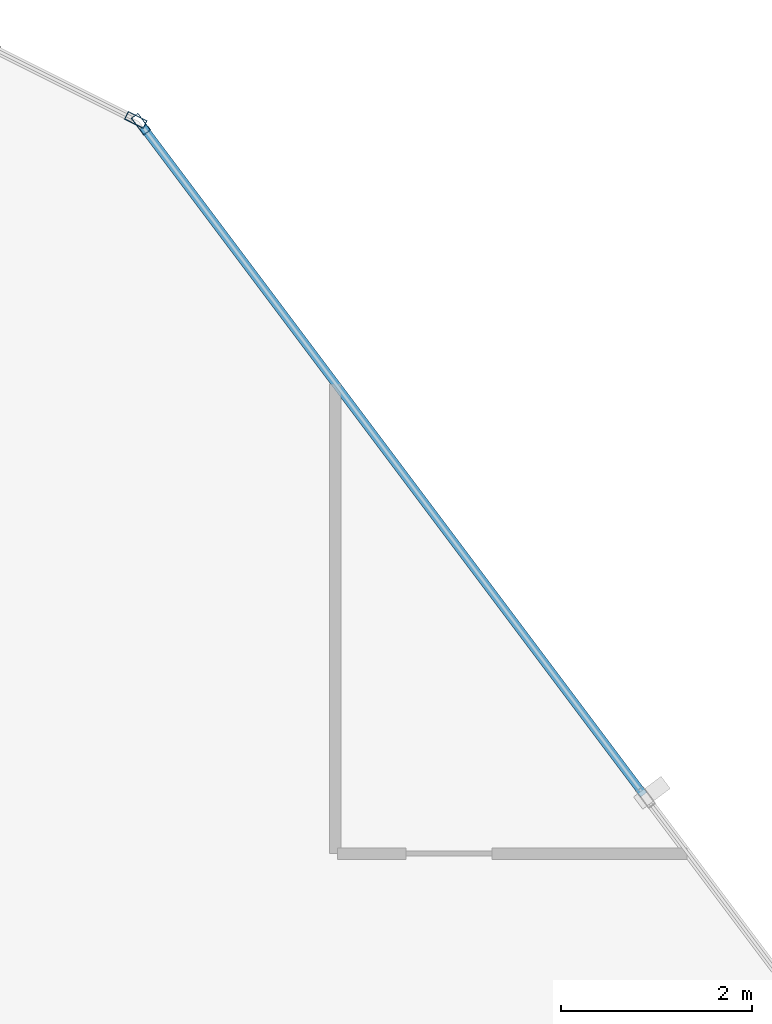
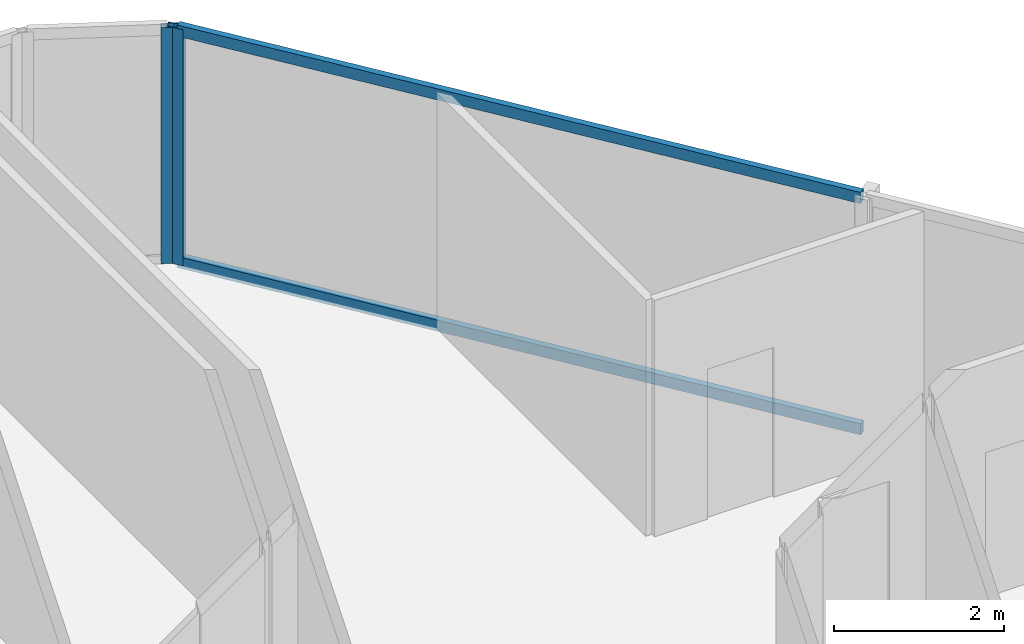
# One storey, part 17 of 34: 4 members, 2 elements without a shape of their own.
"""IFC4 building model written with IfcOpenShell, lengths in metres."""

from ifc_helpers import new_model, si_unit, direction, frame, origin, origin_2d, place, context, subcontext, project, spatial, hollow_rectangle, extrude, material, layer, layer_set, material_profile, profile_set, type_object, element, aggregate, save


model = new_model("IFC4")

# Units and contexts
model_context = context("Model", 3, precision=1e-05, world=origin(), true_north=direction((0.0, 1.0)))
body_context = subcontext(model_context, "Body", "Model", "MODEL_VIEW")
ifc_project = project(units=[si_unit("LENGTHUNIT", "METRE"), si_unit("AREAUNIT", "SQUARE_METRE"), si_unit("VOLUMEUNIT", "CUBIC_METRE"), si_unit("PLANEANGLEUNIT", "RADIAN"), si_unit("MASSUNIT", "GRAM", prefix="KILO")], contexts=[model_context])

# Site, building, storey
site_placement = place(None, origin())
site = spatial("IfcSite", under=ifc_project, at=site_placement, CompositionType="ELEMENT")
building_placement = place(site_placement, origin())
building = spatial("IfcBuilding", under=site, at=building_placement, Name="Keshet Zoharim Tower", CompositionType="ELEMENT")
storey_placement = place(building_placement, frame((0.0, 0.0, 38.800048828125)))
storey = spatial("IfcBuildingStorey", under=building, at=storey_placement, Name="L08", CompositionType="ELEMENT", Elevation=38.800048828125)

# Curtain wall, member
ifc_material = material(Name="Aluminium 6063-T6", Category="aluminium")
ifc_layer = layer(ifc_material, 0.169921875)
ifc_layer_set = layer_set([ifc_layer], Name="Aluminium 6063-T6")
curtain_wall_type = type_object("IfcCurtainWallType", Name="CW-SYS-02", PredefinedType="NOTDEFINED", material=ifc_layer_set)
curtain_wall_1_placement = place(storey_placement, origin())
curtain_wall_1 = element("IfcCurtainWall", 1, at=curtain_wall_1_placement, inside=storey, type_object=curtain_wall_type, Name="L08 Unitised Curtain Wall 08", PredefinedType="NOTDEFINED")
ifc_material_profile_1 = material_profile(ifc_material, hollow_rectangle(XDim=0.090087890625, YDim=0.219970703125, WallThickness=0.0048828125, at=origin_2d()), Name="MUL-90x220")
ifc_profile_set_1 = profile_set([ifc_material_profile_1], Name="Aluminium 6063-T6")
member_type_1 = type_object("IfcMemberType", Name="CWM-M22", PredefinedType="MULLION", material=ifc_profile_set_1)
member_1_placement = place(storey_placement, frame((51.568603515625, 53.11572265625, 0.0), z_axis=(0.0, 0.0, 1.0), x_axis=(0.447213595499, 0.894427191001, 0.0)))
member_1 = element("IfcMember", 2, at=member_1_placement, type_object=member_type_1, Name="CW-02 mullion 2", PredefinedType="MULLION", context=body_context, shape_type="SweptSolid", body=[
    extrude(hollow_rectangle(XDim=0.090087890625, YDim=0.219970703125, WallThickness=0.0048828125, at=origin_2d()), origin(), (0.0, 0.0, 1.0), 3.385009765625),
])
aggregate(curtain_wall_1, [member_1])

# Curtain wall, members
curtain_wall_2_placement = place(storey_placement, origin())
curtain_wall_2 = element("IfcCurtainWall", 3, at=curtain_wall_2_placement, inside=storey, type_object=curtain_wall_type, Name="L08 Unitised Curtain Wall 09", PredefinedType="NOTDEFINED")
member_2_placement = place(storey_placement, frame((51.62109375, 53.072021484375, 0.0), z_axis=(0.0, 0.0, 1.0), x_axis=(0.799999999998, 0.600000000002, 0.0)))
member_2 = element("IfcMember", 4, at=member_2_placement, type_object=member_type_1, Name="CW-02 mullion 1", PredefinedType="MULLION", context=body_context, shape_type="SweptSolid", body=[
    extrude(hollow_rectangle(XDim=0.090087890625, YDim=0.219970703125, WallThickness=0.0048828125, at=origin_2d()), origin(), (0.0, 0.0, 1.0), 3.385009765625),
])
ifc_material_profile_2 = material_profile(ifc_material, hollow_rectangle(XDim=0.0849609375, YDim=0.159912109375, WallThickness=0.00439453125, at=origin_2d()), Name="TRN-85x160")
ifc_profile_set_2 = profile_set([ifc_material_profile_2], Name="Aluminium 6063-T6")
member_type_2 = type_object("IfcMemberType", Name="CWT-T16", PredefinedType="USERDEFINED", material=ifc_profile_set_2)
member_3_placement = place(storey_placement, frame((51.64208984375, 53.0439453125, 0.034912109375), z_axis=(0.599991043201, -0.800006717521, 0.0), x_axis=(0.800006717521, 0.599991043201, 0.0)))
member_3 = element("IfcMember", 5, at=member_3_placement, type_object=member_type_2, Name="CW-02 transom 1.1", ObjectType="TRANSOM", PredefinedType="USERDEFINED", context=body_context, shape_type="SweptSolid", body=[
    extrude(hollow_rectangle(XDim=0.0849609375, YDim=0.159912109375, WallThickness=0.00439453125, at=origin_2d()), origin(), (0.0, 0.0, 1.0), 8.722412109375),
])
member_4_placement = place(storey_placement, frame((51.64208984375, 53.0439453125, 3.349853515625), z_axis=(0.599991043201, -0.800006717521, 0.0), x_axis=(0.800006717521, 0.599991043201, 0.0)))
member_4 = element("IfcMember", 6, at=member_4_placement, type_object=member_type_2, Name="CW-02 transom 1.2", ObjectType="TRANSOM", PredefinedType="USERDEFINED", context=body_context, shape_type="SweptSolid", body=[
    extrude(hollow_rectangle(XDim=0.0849609375, YDim=0.159912109375, WallThickness=0.00439453125, at=origin_2d()), origin(), (0.0, 0.0, 1.0), 8.722412109375),
])
aggregate(curtain_wall_2, [member_2, member_3, member_4])

save(model, "model.ifc")
